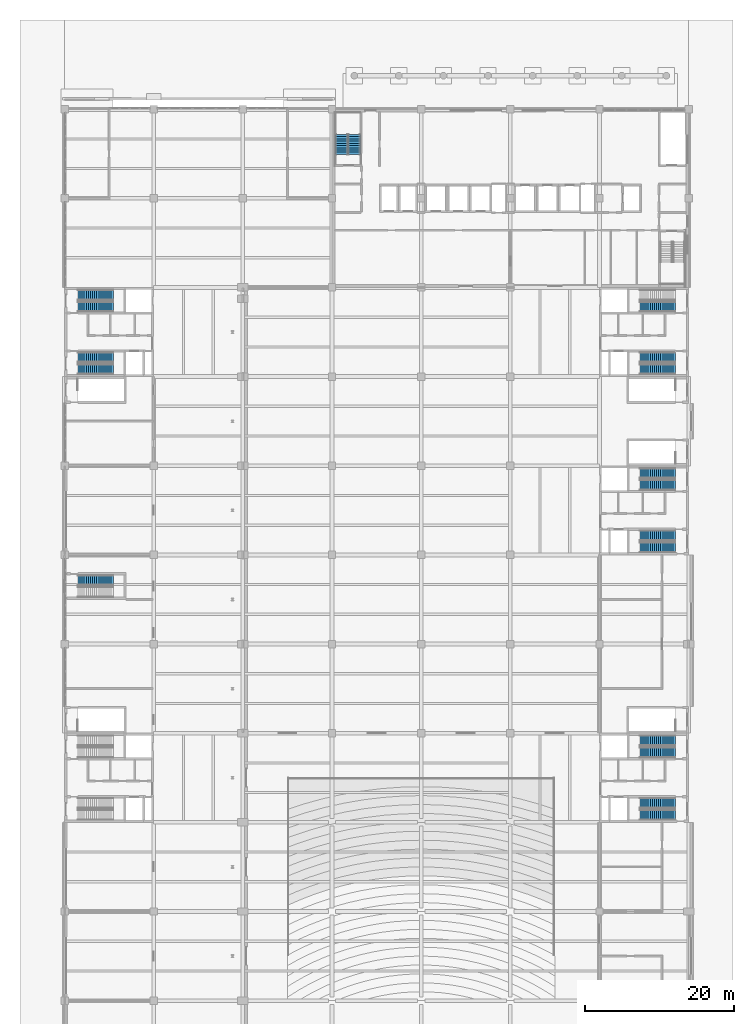
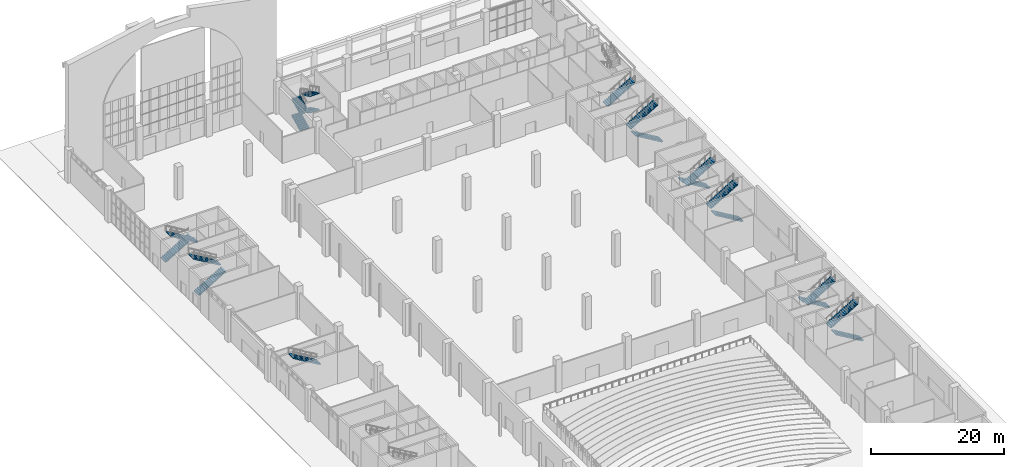
# One storey, part 51 of 59: 20 stair flights, 10 elements without a shape of their own.
"""IFC4 building model written with IfcOpenShell, lengths in metres."""

from ifc_helpers import new_model, si_unit, direction, frame, origin, place, context, subcontext, project, spatial, polyline, outline, extrude, material, type_object, element, aggregate, save


model = new_model("IFC4")

# Units and contexts
model_context = context("Model", 3, precision=1e-05, world=origin(), true_north=direction((0.0, 1.0)))
body_context = subcontext(model_context, "Body", "Model", "MODEL_VIEW")
ifc_project = project(units=[si_unit("LENGTHUNIT", "METRE"), si_unit("AREAUNIT", "SQUARE_METRE"), si_unit("VOLUMEUNIT", "CUBIC_METRE"), si_unit("PLANEANGLEUNIT", "RADIAN"), si_unit("MASSUNIT", "GRAM", prefix="KILO")], contexts=[model_context])

# Site, building, storey
site_placement = place(None, origin())
site = spatial("IfcSite", under=ifc_project, at=site_placement, CompositionType="ELEMENT")
building_placement = place(site_placement, origin())
building = spatial("IfcBuilding", under=site, at=building_placement, Name="Lilac Gate Convention Centre", CompositionType="ELEMENT")
storey_placement = place(building_placement, origin())
storey = spatial("IfcBuildingStorey", under=building, at=storey_placement, Name="L00", CompositionType="ELEMENT", Elevation=0.0)

# Stair, stair flights
ifc_material = material(Name="Concrete C40", Category="concrete")
stair_type_1 = type_object("IfcStairType", Name="Exit stair", PredefinedType="DOUBLE_RETURN_STAIR", material=ifc_material)
stair_1_placement = place(storey_placement, origin())
stair_1 = element("IfcStair", 1, at=stair_1_placement, inside=storey, type_object=stair_type_1, Name="Exit stair NW L00", PredefinedType="DOUBLE_RETURN_STAIR")
stair_flight_type_1 = type_object("IfcStairFlightType", Name="Exit stair flight", PredefinedType="STRAIGHT", material=ifc_material)
stair_flight_1_placement = place(storey_placement, frame((43.300048828125, 239.89990234375, 0.0), z_axis=(0.0, 0.0, 1.0), x_axis=(0.0, 1.0, 0.0)))
stair_flight_1 = element("IfcStairFlight", 2, at=stair_flight_1_placement, type_object=stair_flight_type_1, Name="ST-NW flight 1", NumberOfRisers=10, NumberOfTreads=9, PredefinedType="STRAIGHT", RiserHeight=0.15, TreadLength=0.3, context=body_context, shape_type="SweptSolid", body=[
    extrude(outline(polyline([(0.0, 0.0), (0.0, 0.14990234375), (0.300048828125, 0.14990234375), (0.300048828125, 0.300048828125), (0.60009765625, 0.300048828125), (0.60009765625, 0.449951171875), (0.89990234375, 0.449951171875), (0.89990234375, 0.60009765625), (1.199951171875, 0.60009765625), (1.199951171875, 0.75), (1.5, 0.75), (1.5, 0.89990234375), (1.800048828125, 0.89990234375), (1.800048828125, 1.050048828125), (2.10009765625, 1.050048828125), (2.10009765625, 1.199951171875), (2.39990234375, 1.199951171875), (2.39990234375, 1.35009765625), (2.699951171875, 1.35009765625), (2.699951171875, 1.5), (2.699951171875, 1.182373046875), (0.335205078125, 0.0), (0.0, 0.0)])), frame((0.0, 0.800048828125, 0.0), z_axis=(0.0, -1.0, 0.0), x_axis=(1.0, 0.0, 0.0)), (0.0, 0.0, 1.0), 1.60009765625),
])
stair_flight_2_placement = place(storey_placement, frame((45.0, 242.60009765625, 1.5), z_axis=(0.0, 0.0, 1.0), x_axis=(0.0, -1.0, 0.0)))
stair_flight_2 = element("IfcStairFlight", 3, at=stair_flight_2_placement, type_object=stair_flight_type_1, Name="ST-NW flight 2", NumberOfRisers=10, NumberOfTreads=9, PredefinedType="STRAIGHT", RiserHeight=0.15, TreadLength=0.3, context=body_context, shape_type="SweptSolid", body=[
    extrude(outline(polyline([(0.0, 0.0), (0.0, 0.14990234375), (0.300048828125, 0.14990234375), (0.300048828125, 0.300048828125), (0.60009765625, 0.300048828125), (0.60009765625, 0.449951171875), (0.89990234375, 0.449951171875), (0.89990234375, 0.60009765625), (1.199951171875, 0.60009765625), (1.199951171875, 0.75), (1.5, 0.75), (1.5, 0.89990234375), (1.800048828125, 0.89990234375), (1.800048828125, 1.050048828125), (2.10009765625, 1.050048828125), (2.10009765625, 1.199951171875), (2.39990234375, 1.199951171875), (2.39990234375, 1.35009765625), (2.699951171875, 1.35009765625), (2.699951171875, 1.5), (2.699951171875, 1.182373046875), (0.335205078125, 0.0), (0.0, 0.0)])), frame((0.0, 0.800048828125, 0.0), z_axis=(0.0, -1.0, 0.0), x_axis=(1.0, 0.0, 0.0)), (0.0, 0.0, 1.0), 1.60009765625),
])
stair_flight_3_placement = place(storey_placement, frame((43.300048828125, 239.89990234375, 3.0), z_axis=(0.0, 0.0, 1.0), x_axis=(0.0, 1.0, 0.0)))
stair_flight_3 = element("IfcStairFlight", 4, at=stair_flight_3_placement, type_object=stair_flight_type_1, Name="ST-NW flight 3", NumberOfRisers=10, NumberOfTreads=9, PredefinedType="STRAIGHT", RiserHeight=0.15, TreadLength=0.3, context=body_context, shape_type="SweptSolid", body=[
    extrude(outline(polyline([(0.0, 0.0), (0.0, 0.14990234375), (0.300048828125, 0.14990234375), (0.300048828125, 0.300048828125), (0.60009765625, 0.300048828125), (0.60009765625, 0.449951171875), (0.89990234375, 0.449951171875), (0.89990234375, 0.60009765625), (1.199951171875, 0.60009765625), (1.199951171875, 0.75), (1.5, 0.75), (1.5, 0.89990234375), (1.800048828125, 0.89990234375), (1.800048828125, 1.050048828125), (2.10009765625, 1.050048828125), (2.10009765625, 1.199951171875), (2.39990234375, 1.199951171875), (2.39990234375, 1.35009765625), (2.699951171875, 1.35009765625), (2.699951171875, 1.5), (2.699951171875, 1.182373046875), (0.335205078125, 0.0), (0.0, 0.0)])), frame((0.0, 0.800048828125, 0.0), z_axis=(0.0, -1.0, 0.0), x_axis=(1.0, 0.0, 0.0)), (0.0, 0.0, 1.0), 1.60009765625),
])
stair_flight_4_placement = place(storey_placement, frame((45.0, 242.60009765625, 4.5), z_axis=(0.0, 0.0, 1.0), x_axis=(0.0, -1.0, 0.0)))
stair_flight_4 = element("IfcStairFlight", 5, at=stair_flight_4_placement, type_object=stair_flight_type_1, Name="ST-NW flight 4", NumberOfRisers=10, NumberOfTreads=9, PredefinedType="STRAIGHT", RiserHeight=0.15, TreadLength=0.3, context=body_context, shape_type="SweptSolid", body=[
    extrude(outline(polyline([(0.0, 0.0), (0.0, 0.14990234375), (0.300048828125, 0.14990234375), (0.300048828125, 0.300048828125), (0.60009765625, 0.300048828125), (0.60009765625, 0.449951171875), (0.89990234375, 0.449951171875), (0.89990234375, 0.60009765625), (1.199951171875, 0.60009765625), (1.199951171875, 0.75), (1.5, 0.75), (1.5, 0.89990234375), (1.800048828125, 0.89990234375), (1.800048828125, 1.050048828125), (2.10009765625, 1.050048828125), (2.10009765625, 1.199951171875), (2.39990234375, 1.199951171875), (2.39990234375, 1.35009765625), (2.699951171875, 1.35009765625), (2.699951171875, 1.5), (2.699951171875, 1.182373046875), (0.335205078125, 0.0), (0.0, 0.0)])), frame((0.0, 0.800048828125, 0.0), z_axis=(0.0, -1.0, 0.0), x_axis=(1.0, 0.0, 0.0)), (0.0, 0.0, 1.0), 1.60009765625),
])
aggregate(stair_1, [stair_flight_1, stair_flight_2, stair_flight_3, stair_flight_4])

stair_type_2 = type_object("IfcStairType", Name="Exit stair two flights", PredefinedType="HALF_TURN_STAIR", material=ifc_material)
stair_2_placement = place(storey_placement, origin())
stair_2 = element("IfcStair", 6, at=stair_2_placement, inside=storey, type_object=stair_type_2, Name="Exit stair W4A L00 to L01", PredefinedType="HALF_TURN_STAIR")
stair_flight_type_2 = type_object("IfcStairFlightType", Name="Stair flight 1400 precast", PredefinedType="STRAIGHT", material=ifc_material)
stair_flight_5_placement = place(storey_placement, frame((7.800048828125, 211.0, 0.0), z_axis=(0.0, 0.0, 1.0), x_axis=(1.0, 0.0, 0.0)))
stair_flight_5 = element("IfcStairFlight", 7, at=stair_flight_5_placement, type_object=stair_flight_type_2, Name="ST19 flight 1", NumberOfRisers=18, NumberOfTreads=17, PredefinedType="STRAIGHT", RiserHeight=0.166666667, TreadLength=0.28, context=body_context, shape_type="SweptSolid", body=[
    extrude(outline(polyline([(0.0, 0.0), (0.0, 0.166748046875), (0.280029296875, 0.166748046875), (0.280029296875, 0.333251953125), (0.56005859375, 0.333251953125), (0.56005859375, 0.5), (0.840087890625, 0.5), (0.840087890625, 0.666748046875), (1.1201171875, 0.666748046875), (1.1201171875, 0.833251953125), (1.39990234375, 0.833251953125), (1.39990234375, 1.0), (1.679931640625, 1.0), (1.679931640625, 1.166748046875), (1.9599609375, 1.166748046875), (1.9599609375, 1.333251953125), (2.239990234375, 1.333251953125), (2.239990234375, 1.5), (2.52001953125, 1.5), (2.52001953125, 1.666748046875), (2.800048828125, 1.666748046875), (2.800048828125, 1.833251953125), (3.080078125, 1.833251953125), (3.080078125, 2.0), (3.360107421875, 2.0), (3.360107421875, 2.166748046875), (3.639892578125, 2.166748046875), (3.639892578125, 2.333251953125), (3.919921875, 2.333251953125), (3.919921875, 2.5), (4.199951171875, 2.5), (4.199951171875, 2.666748046875), (4.47998046875, 2.666748046875), (4.47998046875, 2.833251953125), (4.760009765625, 2.833251953125), (4.760009765625, 3.0), (4.760009765625, 2.658935546875), (0.29296875, 0.0), (0.0, 0.0)])), frame((0.0, 0.699951171875, 0.0), z_axis=(0.0, -1.0, 0.0), x_axis=(1.0, 0.0, 0.0)), (0.0, 0.0, 1.0), 1.39990234375),
])
stair_flight_6_placement = place(storey_placement, frame((12.56005859375, 212.60009765625, 3.0), z_axis=(0.0, 0.0, 1.0), x_axis=(-1.0, 0.0, 0.0)))
stair_flight_6 = element("IfcStairFlight", 8, at=stair_flight_6_placement, type_object=stair_flight_type_2, Name="ST19 flight 2", NumberOfRisers=18, NumberOfTreads=17, PredefinedType="STRAIGHT", RiserHeight=0.166666667, TreadLength=0.28, context=body_context, shape_type="SweptSolid", body=[
    extrude(outline(polyline([(0.0, 0.0), (0.0, 0.166748046875), (0.280029296875, 0.166748046875), (0.280029296875, 0.333251953125), (0.56005859375, 0.333251953125), (0.56005859375, 0.5), (0.840087890625, 0.5), (0.840087890625, 0.666748046875), (1.1201171875, 0.666748046875), (1.1201171875, 0.833251953125), (1.39990234375, 0.833251953125), (1.39990234375, 1.0), (1.679931640625, 1.0), (1.679931640625, 1.166748046875), (1.9599609375, 1.166748046875), (1.9599609375, 1.333251953125), (2.239990234375, 1.333251953125), (2.239990234375, 1.5), (2.52001953125, 1.5), (2.52001953125, 1.666748046875), (2.800048828125, 1.666748046875), (2.800048828125, 1.833251953125), (3.080078125, 1.833251953125), (3.080078125, 2.0), (3.360107421875, 2.0), (3.360107421875, 2.166748046875), (3.639892578125, 2.166748046875), (3.639892578125, 2.333251953125), (3.919921875, 2.333251953125), (3.919921875, 2.5), (4.199951171875, 2.5), (4.199951171875, 2.666748046875), (4.47998046875, 2.666748046875), (4.47998046875, 2.833251953125), (4.760009765625, 2.833251953125), (4.760009765625, 3.0), (4.760009765625, 2.658935546875), (0.29296875, 0.0), (0.0, 0.0)])), frame((0.0, 0.699951171875, 0.0), z_axis=(0.0, -1.0, 0.0), x_axis=(1.0, 0.0, 0.0)), (0.0, 0.0, 1.0), 1.39990234375),
])
aggregate(stair_2, [stair_flight_5, stair_flight_6])

stair_3_placement = place(storey_placement, origin())
stair_3 = element("IfcStair", 9, at=stair_3_placement, inside=storey, type_object=stair_type_2, Name="Exit stair W4B L00 to L01", PredefinedType="HALF_TURN_STAIR")
stair_flight_7_placement = place(storey_placement, frame((7.800048828125, 221.0, 0.0), z_axis=(0.0, 0.0, 1.0), x_axis=(1.0, 0.0, 0.0)))
stair_flight_7 = element("IfcStairFlight", 10, at=stair_flight_7_placement, type_object=stair_flight_type_2, Name="ST20 flight 1", NumberOfRisers=18, NumberOfTreads=17, PredefinedType="STRAIGHT", RiserHeight=0.166666667, TreadLength=0.28, context=body_context, shape_type="SweptSolid", body=[
    extrude(outline(polyline([(0.0, 0.0), (0.0, 0.166748046875), (0.280029296875, 0.166748046875), (0.280029296875, 0.333251953125), (0.56005859375, 0.333251953125), (0.56005859375, 0.5), (0.840087890625, 0.5), (0.840087890625, 0.666748046875), (1.1201171875, 0.666748046875), (1.1201171875, 0.833251953125), (1.39990234375, 0.833251953125), (1.39990234375, 1.0), (1.679931640625, 1.0), (1.679931640625, 1.166748046875), (1.9599609375, 1.166748046875), (1.9599609375, 1.333251953125), (2.239990234375, 1.333251953125), (2.239990234375, 1.5), (2.52001953125, 1.5), (2.52001953125, 1.666748046875), (2.800048828125, 1.666748046875), (2.800048828125, 1.833251953125), (3.080078125, 1.833251953125), (3.080078125, 2.0), (3.360107421875, 2.0), (3.360107421875, 2.166748046875), (3.639892578125, 2.166748046875), (3.639892578125, 2.333251953125), (3.919921875, 2.333251953125), (3.919921875, 2.5), (4.199951171875, 2.5), (4.199951171875, 2.666748046875), (4.47998046875, 2.666748046875), (4.47998046875, 2.833251953125), (4.760009765625, 2.833251953125), (4.760009765625, 3.0), (4.760009765625, 2.658935546875), (0.29296875, 0.0), (0.0, 0.0)])), frame((0.0, 0.699951171875, 0.0), z_axis=(0.0, -1.0, 0.0), x_axis=(1.0, 0.0, 0.0)), (0.0, 0.0, 1.0), 1.39990234375),
])
stair_flight_8_placement = place(storey_placement, frame((12.56005859375, 219.39990234375, 3.0), z_axis=(0.0, 0.0, 1.0), x_axis=(-1.0, 0.0, 0.0)))
stair_flight_8 = element("IfcStairFlight", 11, at=stair_flight_8_placement, type_object=stair_flight_type_2, Name="ST20 flight 2", NumberOfRisers=18, NumberOfTreads=17, PredefinedType="STRAIGHT", RiserHeight=0.166666667, TreadLength=0.28, context=body_context, shape_type="SweptSolid", body=[
    extrude(outline(polyline([(0.0, 0.0), (0.0, 0.166748046875), (0.280029296875, 0.166748046875), (0.280029296875, 0.333251953125), (0.56005859375, 0.333251953125), (0.56005859375, 0.5), (0.840087890625, 0.5), (0.840087890625, 0.666748046875), (1.1201171875, 0.666748046875), (1.1201171875, 0.833251953125), (1.39990234375, 0.833251953125), (1.39990234375, 1.0), (1.679931640625, 1.0), (1.679931640625, 1.166748046875), (1.9599609375, 1.166748046875), (1.9599609375, 1.333251953125), (2.239990234375, 1.333251953125), (2.239990234375, 1.5), (2.52001953125, 1.5), (2.52001953125, 1.666748046875), (2.800048828125, 1.666748046875), (2.800048828125, 1.833251953125), (3.080078125, 1.833251953125), (3.080078125, 2.0), (3.360107421875, 2.0), (3.360107421875, 2.166748046875), (3.639892578125, 2.166748046875), (3.639892578125, 2.333251953125), (3.919921875, 2.333251953125), (3.919921875, 2.5), (4.199951171875, 2.5), (4.199951171875, 2.666748046875), (4.47998046875, 2.666748046875), (4.47998046875, 2.833251953125), (4.760009765625, 2.833251953125), (4.760009765625, 3.0), (4.760009765625, 2.658935546875), (0.29296875, 0.0), (0.0, 0.0)])), frame((0.0, 0.699951171875, 0.0), z_axis=(0.0, -1.0, 0.0), x_axis=(1.0, 0.0, 0.0)), (0.0, 0.0, 1.0), 1.39990234375),
])
aggregate(stair_3, [stair_flight_7, stair_flight_8])

stair_4_placement = place(storey_placement, origin())
stair_4 = element("IfcStair", 12, at=stair_4_placement, inside=storey, type_object=stair_type_2, Name="Exit stair E2A L00 to L01", PredefinedType="HALF_TURN_STAIR")
stair_flight_9_placement = place(storey_placement, frame((88.199951171875, 151.0, 0.0), z_axis=(0.0, 0.0, 1.0), x_axis=(-1.0, 0.0, 0.0)))
stair_flight_9 = element("IfcStairFlight", 13, at=stair_flight_9_placement, type_object=stair_flight_type_2, Name="ST29 flight 1", NumberOfRisers=18, NumberOfTreads=17, PredefinedType="STRAIGHT", RiserHeight=0.166666667, TreadLength=0.28, context=body_context, shape_type="SweptSolid", body=[
    extrude(outline(polyline([(0.0, 0.0), (0.0, 0.166748046875), (0.280029296875, 0.166748046875), (0.280029296875, 0.333251953125), (0.56005859375, 0.333251953125), (0.56005859375, 0.5), (0.840087890625, 0.5), (0.840087890625, 0.666748046875), (1.1201171875, 0.666748046875), (1.1201171875, 0.833251953125), (1.39990234375, 0.833251953125), (1.39990234375, 1.0), (1.679931640625, 1.0), (1.679931640625, 1.166748046875), (1.9599609375, 1.166748046875), (1.9599609375, 1.333251953125), (2.239990234375, 1.333251953125), (2.239990234375, 1.5), (2.52001953125, 1.5), (2.52001953125, 1.666748046875), (2.800048828125, 1.666748046875), (2.800048828125, 1.833251953125), (3.080078125, 1.833251953125), (3.080078125, 2.0), (3.360107421875, 2.0), (3.360107421875, 2.166748046875), (3.639892578125, 2.166748046875), (3.639892578125, 2.333251953125), (3.919921875, 2.333251953125), (3.919921875, 2.5), (4.199951171875, 2.5), (4.199951171875, 2.666748046875), (4.47998046875, 2.666748046875), (4.47998046875, 2.833251953125), (4.760009765625, 2.833251953125), (4.760009765625, 3.0), (4.760009765625, 2.658935546875), (0.29296875, 0.0), (0.0, 0.0)])), frame((0.0, 0.699951171875, 0.0), z_axis=(0.0, -1.0, 0.0), x_axis=(1.0, 0.0, 0.0)), (0.0, 0.0, 1.0), 1.39990234375),
])
stair_flight_10_placement = place(storey_placement, frame((83.43994140625, 152.60009765625, 3.0), z_axis=(0.0, 0.0, 1.0), x_axis=(1.0, 0.0, 0.0)))
stair_flight_10 = element("IfcStairFlight", 14, at=stair_flight_10_placement, type_object=stair_flight_type_2, Name="ST29 flight 2", NumberOfRisers=18, NumberOfTreads=17, PredefinedType="STRAIGHT", RiserHeight=0.166666667, TreadLength=0.28, context=body_context, shape_type="SweptSolid", body=[
    extrude(outline(polyline([(0.0, 0.0), (0.0, 0.166748046875), (0.280029296875, 0.166748046875), (0.280029296875, 0.333251953125), (0.56005859375, 0.333251953125), (0.56005859375, 0.5), (0.840087890625, 0.5), (0.840087890625, 0.666748046875), (1.1201171875, 0.666748046875), (1.1201171875, 0.833251953125), (1.39990234375, 0.833251953125), (1.39990234375, 1.0), (1.679931640625, 1.0), (1.679931640625, 1.166748046875), (1.9599609375, 1.166748046875), (1.9599609375, 1.333251953125), (2.239990234375, 1.333251953125), (2.239990234375, 1.5), (2.52001953125, 1.5), (2.52001953125, 1.666748046875), (2.800048828125, 1.666748046875), (2.800048828125, 1.833251953125), (3.080078125, 1.833251953125), (3.080078125, 2.0), (3.360107421875, 2.0), (3.360107421875, 2.166748046875), (3.639892578125, 2.166748046875), (3.639892578125, 2.333251953125), (3.919921875, 2.333251953125), (3.919921875, 2.5), (4.199951171875, 2.5), (4.199951171875, 2.666748046875), (4.47998046875, 2.666748046875), (4.47998046875, 2.833251953125), (4.760009765625, 2.833251953125), (4.760009765625, 3.0), (4.760009765625, 2.658935546875), (0.29296875, 0.0), (0.0, 0.0)])), frame((0.0, 0.699951171875, 0.0), z_axis=(0.0, -1.0, 0.0), x_axis=(1.0, 0.0, 0.0)), (0.0, 0.0, 1.0), 1.39990234375),
])
aggregate(stair_4, [stair_flight_9, stair_flight_10])

stair_5_placement = place(storey_placement, origin())
stair_5 = element("IfcStair", 15, at=stair_5_placement, inside=storey, type_object=stair_type_2, Name="Exit stair E2B L00 to L01", PredefinedType="HALF_TURN_STAIR")
stair_flight_11_placement = place(storey_placement, frame((88.199951171875, 161.0, 0.0), z_axis=(0.0, 0.0, 1.0), x_axis=(-1.0, 0.0, 0.0)))
stair_flight_11 = element("IfcStairFlight", 16, at=stair_flight_11_placement, type_object=stair_flight_type_2, Name="ST30 flight 1", NumberOfRisers=18, NumberOfTreads=17, PredefinedType="STRAIGHT", RiserHeight=0.166666667, TreadLength=0.28, context=body_context, shape_type="SweptSolid", body=[
    extrude(outline(polyline([(0.0, 0.0), (0.0, 0.166748046875), (0.280029296875, 0.166748046875), (0.280029296875, 0.333251953125), (0.56005859375, 0.333251953125), (0.56005859375, 0.5), (0.840087890625, 0.5), (0.840087890625, 0.666748046875), (1.1201171875, 0.666748046875), (1.1201171875, 0.833251953125), (1.39990234375, 0.833251953125), (1.39990234375, 1.0), (1.679931640625, 1.0), (1.679931640625, 1.166748046875), (1.9599609375, 1.166748046875), (1.9599609375, 1.333251953125), (2.239990234375, 1.333251953125), (2.239990234375, 1.5), (2.52001953125, 1.5), (2.52001953125, 1.666748046875), (2.800048828125, 1.666748046875), (2.800048828125, 1.833251953125), (3.080078125, 1.833251953125), (3.080078125, 2.0), (3.360107421875, 2.0), (3.360107421875, 2.166748046875), (3.639892578125, 2.166748046875), (3.639892578125, 2.333251953125), (3.919921875, 2.333251953125), (3.919921875, 2.5), (4.199951171875, 2.5), (4.199951171875, 2.666748046875), (4.47998046875, 2.666748046875), (4.47998046875, 2.833251953125), (4.760009765625, 2.833251953125), (4.760009765625, 3.0), (4.760009765625, 2.658935546875), (0.29296875, 0.0), (0.0, 0.0)])), frame((0.0, 0.699951171875, 0.0), z_axis=(0.0, -1.0, 0.0), x_axis=(1.0, 0.0, 0.0)), (0.0, 0.0, 1.0), 1.39990234375),
])
stair_flight_12_placement = place(storey_placement, frame((83.43994140625, 159.39990234375, 3.0), z_axis=(0.0, 0.0, 1.0), x_axis=(1.0, 0.0, 0.0)))
stair_flight_12 = element("IfcStairFlight", 17, at=stair_flight_12_placement, type_object=stair_flight_type_2, Name="ST30 flight 2", NumberOfRisers=18, NumberOfTreads=17, PredefinedType="STRAIGHT", RiserHeight=0.166666667, TreadLength=0.28, context=body_context, shape_type="SweptSolid", body=[
    extrude(outline(polyline([(0.0, 0.0), (0.0, 0.166748046875), (0.280029296875, 0.166748046875), (0.280029296875, 0.333251953125), (0.56005859375, 0.333251953125), (0.56005859375, 0.5), (0.840087890625, 0.5), (0.840087890625, 0.666748046875), (1.1201171875, 0.666748046875), (1.1201171875, 0.833251953125), (1.39990234375, 0.833251953125), (1.39990234375, 1.0), (1.679931640625, 1.0), (1.679931640625, 1.166748046875), (1.9599609375, 1.166748046875), (1.9599609375, 1.333251953125), (2.239990234375, 1.333251953125), (2.239990234375, 1.5), (2.52001953125, 1.5), (2.52001953125, 1.666748046875), (2.800048828125, 1.666748046875), (2.800048828125, 1.833251953125), (3.080078125, 1.833251953125), (3.080078125, 2.0), (3.360107421875, 2.0), (3.360107421875, 2.166748046875), (3.639892578125, 2.166748046875), (3.639892578125, 2.333251953125), (3.919921875, 2.333251953125), (3.919921875, 2.5), (4.199951171875, 2.5), (4.199951171875, 2.666748046875), (4.47998046875, 2.666748046875), (4.47998046875, 2.833251953125), (4.760009765625, 2.833251953125), (4.760009765625, 3.0), (4.760009765625, 2.658935546875), (0.29296875, 0.0), (0.0, 0.0)])), frame((0.0, 0.699951171875, 0.0), z_axis=(0.0, -1.0, 0.0), x_axis=(1.0, 0.0, 0.0)), (0.0, 0.0, 1.0), 1.39990234375),
])
aggregate(stair_5, [stair_flight_11, stair_flight_12])

stair_6_placement = place(storey_placement, origin())
stair_6 = element("IfcStair", 18, at=stair_6_placement, inside=storey, type_object=stair_type_2, Name="Exit stair E3A L00 to L01", PredefinedType="HALF_TURN_STAIR")
stair_flight_13_placement = place(storey_placement, frame((88.199951171875, 187.0, 0.0), z_axis=(0.0, 0.0, 1.0), x_axis=(-1.0, 0.0, 0.0)))
stair_flight_13 = element("IfcStairFlight", 19, at=stair_flight_13_placement, type_object=stair_flight_type_2, Name="ST33 flight 1", NumberOfRisers=18, NumberOfTreads=17, PredefinedType="STRAIGHT", RiserHeight=0.166666667, TreadLength=0.28, context=body_context, shape_type="SweptSolid", body=[
    extrude(outline(polyline([(0.0, 0.0), (0.0, 0.166748046875), (0.280029296875, 0.166748046875), (0.280029296875, 0.333251953125), (0.56005859375, 0.333251953125), (0.56005859375, 0.5), (0.840087890625, 0.5), (0.840087890625, 0.666748046875), (1.1201171875, 0.666748046875), (1.1201171875, 0.833251953125), (1.39990234375, 0.833251953125), (1.39990234375, 1.0), (1.679931640625, 1.0), (1.679931640625, 1.166748046875), (1.9599609375, 1.166748046875), (1.9599609375, 1.333251953125), (2.239990234375, 1.333251953125), (2.239990234375, 1.5), (2.52001953125, 1.5), (2.52001953125, 1.666748046875), (2.800048828125, 1.666748046875), (2.800048828125, 1.833251953125), (3.080078125, 1.833251953125), (3.080078125, 2.0), (3.360107421875, 2.0), (3.360107421875, 2.166748046875), (3.639892578125, 2.166748046875), (3.639892578125, 2.333251953125), (3.919921875, 2.333251953125), (3.919921875, 2.5), (4.199951171875, 2.5), (4.199951171875, 2.666748046875), (4.47998046875, 2.666748046875), (4.47998046875, 2.833251953125), (4.760009765625, 2.833251953125), (4.760009765625, 3.0), (4.760009765625, 2.658935546875), (0.29296875, 0.0), (0.0, 0.0)])), frame((0.0, 0.699951171875, 0.0), z_axis=(0.0, -1.0, 0.0), x_axis=(1.0, 0.0, 0.0)), (0.0, 0.0, 1.0), 1.39990234375),
])
stair_flight_14_placement = place(storey_placement, frame((83.43994140625, 188.60009765625, 3.0), z_axis=(0.0, 0.0, 1.0), x_axis=(1.0, 0.0, 0.0)))
stair_flight_14 = element("IfcStairFlight", 20, at=stair_flight_14_placement, type_object=stair_flight_type_2, Name="ST33 flight 2", NumberOfRisers=18, NumberOfTreads=17, PredefinedType="STRAIGHT", RiserHeight=0.166666667, TreadLength=0.28, context=body_context, shape_type="SweptSolid", body=[
    extrude(outline(polyline([(0.0, 0.0), (0.0, 0.166748046875), (0.280029296875, 0.166748046875), (0.280029296875, 0.333251953125), (0.56005859375, 0.333251953125), (0.56005859375, 0.5), (0.840087890625, 0.5), (0.840087890625, 0.666748046875), (1.1201171875, 0.666748046875), (1.1201171875, 0.833251953125), (1.39990234375, 0.833251953125), (1.39990234375, 1.0), (1.679931640625, 1.0), (1.679931640625, 1.166748046875), (1.9599609375, 1.166748046875), (1.9599609375, 1.333251953125), (2.239990234375, 1.333251953125), (2.239990234375, 1.5), (2.52001953125, 1.5), (2.52001953125, 1.666748046875), (2.800048828125, 1.666748046875), (2.800048828125, 1.833251953125), (3.080078125, 1.833251953125), (3.080078125, 2.0), (3.360107421875, 2.0), (3.360107421875, 2.166748046875), (3.639892578125, 2.166748046875), (3.639892578125, 2.333251953125), (3.919921875, 2.333251953125), (3.919921875, 2.5), (4.199951171875, 2.5), (4.199951171875, 2.666748046875), (4.47998046875, 2.666748046875), (4.47998046875, 2.833251953125), (4.760009765625, 2.833251953125), (4.760009765625, 3.0), (4.760009765625, 2.658935546875), (0.29296875, 0.0), (0.0, 0.0)])), frame((0.0, 0.699951171875, 0.0), z_axis=(0.0, -1.0, 0.0), x_axis=(1.0, 0.0, 0.0)), (0.0, 0.0, 1.0), 1.39990234375),
])
aggregate(stair_6, [stair_flight_13, stair_flight_14])

stair_7_placement = place(storey_placement, origin())
stair_7 = element("IfcStair", 21, at=stair_7_placement, inside=storey, type_object=stair_type_2, Name="Exit stair E3B L00 to L01", PredefinedType="HALF_TURN_STAIR")
stair_flight_15_placement = place(storey_placement, frame((88.199951171875, 197.0, 0.0), z_axis=(0.0, 0.0, 1.0), x_axis=(-1.0, 0.0, 0.0)))
stair_flight_15 = element("IfcStairFlight", 22, at=stair_flight_15_placement, type_object=stair_flight_type_2, Name="ST34 flight 1", NumberOfRisers=18, NumberOfTreads=17, PredefinedType="STRAIGHT", RiserHeight=0.166666667, TreadLength=0.28, context=body_context, shape_type="SweptSolid", body=[
    extrude(outline(polyline([(0.0, 0.0), (0.0, 0.166748046875), (0.280029296875, 0.166748046875), (0.280029296875, 0.333251953125), (0.56005859375, 0.333251953125), (0.56005859375, 0.5), (0.840087890625, 0.5), (0.840087890625, 0.666748046875), (1.1201171875, 0.666748046875), (1.1201171875, 0.833251953125), (1.39990234375, 0.833251953125), (1.39990234375, 1.0), (1.679931640625, 1.0), (1.679931640625, 1.166748046875), (1.9599609375, 1.166748046875), (1.9599609375, 1.333251953125), (2.239990234375, 1.333251953125), (2.239990234375, 1.5), (2.52001953125, 1.5), (2.52001953125, 1.666748046875), (2.800048828125, 1.666748046875), (2.800048828125, 1.833251953125), (3.080078125, 1.833251953125), (3.080078125, 2.0), (3.360107421875, 2.0), (3.360107421875, 2.166748046875), (3.639892578125, 2.166748046875), (3.639892578125, 2.333251953125), (3.919921875, 2.333251953125), (3.919921875, 2.5), (4.199951171875, 2.5), (4.199951171875, 2.666748046875), (4.47998046875, 2.666748046875), (4.47998046875, 2.833251953125), (4.760009765625, 2.833251953125), (4.760009765625, 3.0), (4.760009765625, 2.658935546875), (0.29296875, 0.0), (0.0, 0.0)])), frame((0.0, 0.699951171875, 0.0), z_axis=(0.0, -1.0, 0.0), x_axis=(1.0, 0.0, 0.0)), (0.0, 0.0, 1.0), 1.39990234375),
])
stair_flight_16_placement = place(storey_placement, frame((83.43994140625, 195.39990234375, 3.0), z_axis=(0.0, 0.0, 1.0), x_axis=(1.0, 0.0, 0.0)))
stair_flight_16 = element("IfcStairFlight", 23, at=stair_flight_16_placement, type_object=stair_flight_type_2, Name="ST34 flight 2", NumberOfRisers=18, NumberOfTreads=17, PredefinedType="STRAIGHT", RiserHeight=0.166666667, TreadLength=0.28, context=body_context, shape_type="SweptSolid", body=[
    extrude(outline(polyline([(0.0, 0.0), (0.0, 0.166748046875), (0.280029296875, 0.166748046875), (0.280029296875, 0.333251953125), (0.56005859375, 0.333251953125), (0.56005859375, 0.5), (0.840087890625, 0.5), (0.840087890625, 0.666748046875), (1.1201171875, 0.666748046875), (1.1201171875, 0.833251953125), (1.39990234375, 0.833251953125), (1.39990234375, 1.0), (1.679931640625, 1.0), (1.679931640625, 1.166748046875), (1.9599609375, 1.166748046875), (1.9599609375, 1.333251953125), (2.239990234375, 1.333251953125), (2.239990234375, 1.5), (2.52001953125, 1.5), (2.52001953125, 1.666748046875), (2.800048828125, 1.666748046875), (2.800048828125, 1.833251953125), (3.080078125, 1.833251953125), (3.080078125, 2.0), (3.360107421875, 2.0), (3.360107421875, 2.166748046875), (3.639892578125, 2.166748046875), (3.639892578125, 2.333251953125), (3.919921875, 2.333251953125), (3.919921875, 2.5), (4.199951171875, 2.5), (4.199951171875, 2.666748046875), (4.47998046875, 2.666748046875), (4.47998046875, 2.833251953125), (4.760009765625, 2.833251953125), (4.760009765625, 3.0), (4.760009765625, 2.658935546875), (0.29296875, 0.0), (0.0, 0.0)])), frame((0.0, 0.699951171875, 0.0), z_axis=(0.0, -1.0, 0.0), x_axis=(1.0, 0.0, 0.0)), (0.0, 0.0, 1.0), 1.39990234375),
])
aggregate(stair_7, [stair_flight_15, stair_flight_16])

stair_8_placement = place(storey_placement, origin())
stair_8 = element("IfcStair", 24, at=stair_8_placement, inside=storey, type_object=stair_type_2, Name="Exit stair E4A L00 to L01", PredefinedType="HALF_TURN_STAIR")
stair_flight_17_placement = place(storey_placement, frame((88.199951171875, 211.0, 0.0), z_axis=(0.0, 0.0, 1.0), x_axis=(-1.0, 0.0, 0.0)))
stair_flight_17 = element("IfcStairFlight", 25, at=stair_flight_17_placement, type_object=stair_flight_type_2, Name="ST35 flight 1", NumberOfRisers=18, NumberOfTreads=17, PredefinedType="STRAIGHT", RiserHeight=0.166666667, TreadLength=0.28, context=body_context, shape_type="SweptSolid", body=[
    extrude(outline(polyline([(0.0, 0.0), (0.0, 0.166748046875), (0.280029296875, 0.166748046875), (0.280029296875, 0.333251953125), (0.56005859375, 0.333251953125), (0.56005859375, 0.5), (0.840087890625, 0.5), (0.840087890625, 0.666748046875), (1.1201171875, 0.666748046875), (1.1201171875, 0.833251953125), (1.39990234375, 0.833251953125), (1.39990234375, 1.0), (1.679931640625, 1.0), (1.679931640625, 1.166748046875), (1.9599609375, 1.166748046875), (1.9599609375, 1.333251953125), (2.239990234375, 1.333251953125), (2.239990234375, 1.5), (2.52001953125, 1.5), (2.52001953125, 1.666748046875), (2.800048828125, 1.666748046875), (2.800048828125, 1.833251953125), (3.080078125, 1.833251953125), (3.080078125, 2.0), (3.360107421875, 2.0), (3.360107421875, 2.166748046875), (3.639892578125, 2.166748046875), (3.639892578125, 2.333251953125), (3.919921875, 2.333251953125), (3.919921875, 2.5), (4.199951171875, 2.5), (4.199951171875, 2.666748046875), (4.47998046875, 2.666748046875), (4.47998046875, 2.833251953125), (4.760009765625, 2.833251953125), (4.760009765625, 3.0), (4.760009765625, 2.658935546875), (0.29296875, 0.0), (0.0, 0.0)])), frame((0.0, 0.699951171875, 0.0), z_axis=(0.0, -1.0, 0.0), x_axis=(1.0, 0.0, 0.0)), (0.0, 0.0, 1.0), 1.39990234375),
])
stair_flight_18_placement = place(storey_placement, frame((83.43994140625, 212.60009765625, 3.0), z_axis=(0.0, 0.0, 1.0), x_axis=(1.0, 0.0, 0.0)))
stair_flight_18 = element("IfcStairFlight", 26, at=stair_flight_18_placement, type_object=stair_flight_type_2, Name="ST35 flight 2", NumberOfRisers=18, NumberOfTreads=17, PredefinedType="STRAIGHT", RiserHeight=0.166666667, TreadLength=0.28, context=body_context, shape_type="SweptSolid", body=[
    extrude(outline(polyline([(0.0, 0.0), (0.0, 0.166748046875), (0.280029296875, 0.166748046875), (0.280029296875, 0.333251953125), (0.56005859375, 0.333251953125), (0.56005859375, 0.5), (0.840087890625, 0.5), (0.840087890625, 0.666748046875), (1.1201171875, 0.666748046875), (1.1201171875, 0.833251953125), (1.39990234375, 0.833251953125), (1.39990234375, 1.0), (1.679931640625, 1.0), (1.679931640625, 1.166748046875), (1.9599609375, 1.166748046875), (1.9599609375, 1.333251953125), (2.239990234375, 1.333251953125), (2.239990234375, 1.5), (2.52001953125, 1.5), (2.52001953125, 1.666748046875), (2.800048828125, 1.666748046875), (2.800048828125, 1.833251953125), (3.080078125, 1.833251953125), (3.080078125, 2.0), (3.360107421875, 2.0), (3.360107421875, 2.166748046875), (3.639892578125, 2.166748046875), (3.639892578125, 2.333251953125), (3.919921875, 2.333251953125), (3.919921875, 2.5), (4.199951171875, 2.5), (4.199951171875, 2.666748046875), (4.47998046875, 2.666748046875), (4.47998046875, 2.833251953125), (4.760009765625, 2.833251953125), (4.760009765625, 3.0), (4.760009765625, 2.658935546875), (0.29296875, 0.0), (0.0, 0.0)])), frame((0.0, 0.699951171875, 0.0), z_axis=(0.0, -1.0, 0.0), x_axis=(1.0, 0.0, 0.0)), (0.0, 0.0, 1.0), 1.39990234375),
])
aggregate(stair_8, [stair_flight_17, stair_flight_18])

# Stair, stair flight
stair_9_placement = place(storey_placement, origin())
stair_9 = element("IfcStair", 27, at=stair_9_placement, inside=storey, type_object=stair_type_2, Name="Exit stair E4B L00 to L01", PredefinedType="HALF_TURN_STAIR")
stair_flight_19_placement = place(storey_placement, frame((83.43994140625, 219.39990234375, 3.0), z_axis=(0.0, 0.0, 1.0), x_axis=(1.0, 0.0, 0.0)))
stair_flight_19 = element("IfcStairFlight", 28, at=stair_flight_19_placement, type_object=stair_flight_type_2, Name="ST36 flight 2", NumberOfRisers=18, NumberOfTreads=17, PredefinedType="STRAIGHT", RiserHeight=0.166666667, TreadLength=0.28, context=body_context, shape_type="SweptSolid", body=[
    extrude(outline(polyline([(0.0, 0.0), (0.0, 0.166748046875), (0.280029296875, 0.166748046875), (0.280029296875, 0.333251953125), (0.56005859375, 0.333251953125), (0.56005859375, 0.5), (0.840087890625, 0.5), (0.840087890625, 0.666748046875), (1.1201171875, 0.666748046875), (1.1201171875, 0.833251953125), (1.39990234375, 0.833251953125), (1.39990234375, 1.0), (1.679931640625, 1.0), (1.679931640625, 1.166748046875), (1.9599609375, 1.166748046875), (1.9599609375, 1.333251953125), (2.239990234375, 1.333251953125), (2.239990234375, 1.5), (2.52001953125, 1.5), (2.52001953125, 1.666748046875), (2.800048828125, 1.666748046875), (2.800048828125, 1.833251953125), (3.080078125, 1.833251953125), (3.080078125, 2.0), (3.360107421875, 2.0), (3.360107421875, 2.166748046875), (3.639892578125, 2.166748046875), (3.639892578125, 2.333251953125), (3.919921875, 2.333251953125), (3.919921875, 2.5), (4.199951171875, 2.5), (4.199951171875, 2.666748046875), (4.47998046875, 2.666748046875), (4.47998046875, 2.833251953125), (4.760009765625, 2.833251953125), (4.760009765625, 3.0), (4.760009765625, 2.658935546875), (0.29296875, 0.0), (0.0, 0.0)])), frame((0.0, 0.699951171875, 0.0), z_axis=(0.0, -1.0, 0.0), x_axis=(1.0, 0.0, 0.0)), (0.0, 0.0, 1.0), 1.39990234375),
])
aggregate(stair_9, [stair_flight_19])

stair_10_placement = place(storey_placement, origin())
stair_10 = element("IfcStair", 29, at=stair_10_placement, inside=storey, type_object=stair_type_2, Name="Exit stair UW2 L00 to L01", PredefinedType="HALF_TURN_STAIR")
stair_flight_20_placement = place(storey_placement, frame((12.56005859375, 182.60009765625, 3.0), z_axis=(0.0, 0.0, 1.0), x_axis=(-1.0, 0.0, 0.0)))
stair_flight_20 = element("IfcStairFlight", 30, at=stair_flight_20_placement, type_object=stair_flight_type_2, Name="ST48 flight 2", NumberOfRisers=18, NumberOfTreads=17, PredefinedType="STRAIGHT", RiserHeight=0.166666667, TreadLength=0.28, context=body_context, shape_type="SweptSolid", body=[
    extrude(outline(polyline([(0.0, 0.0), (0.0, 0.166748046875), (0.280029296875, 0.166748046875), (0.280029296875, 0.333251953125), (0.56005859375, 0.333251953125), (0.56005859375, 0.5), (0.840087890625, 0.5), (0.840087890625, 0.666748046875), (1.1201171875, 0.666748046875), (1.1201171875, 0.833251953125), (1.39990234375, 0.833251953125), (1.39990234375, 1.0), (1.679931640625, 1.0), (1.679931640625, 1.166748046875), (1.9599609375, 1.166748046875), (1.9599609375, 1.333251953125), (2.239990234375, 1.333251953125), (2.239990234375, 1.5), (2.52001953125, 1.5), (2.52001953125, 1.666748046875), (2.800048828125, 1.666748046875), (2.800048828125, 1.833251953125), (3.080078125, 1.833251953125), (3.080078125, 2.0), (3.360107421875, 2.0), (3.360107421875, 2.166748046875), (3.639892578125, 2.166748046875), (3.639892578125, 2.333251953125), (3.919921875, 2.333251953125), (3.919921875, 2.5), (4.199951171875, 2.5), (4.199951171875, 2.666748046875), (4.47998046875, 2.666748046875), (4.47998046875, 2.833251953125), (4.760009765625, 2.833251953125), (4.760009765625, 3.0), (4.760009765625, 2.658935546875), (0.29296875, 0.0), (0.0, 0.0)])), frame((0.0, 0.699951171875, 0.0), z_axis=(0.0, -1.0, 0.0), x_axis=(1.0, 0.0, 0.0)), (0.0, 0.0, 1.0), 1.39990234375),
])
aggregate(stair_10, [stair_flight_20])

save(model, "model.ifc")
